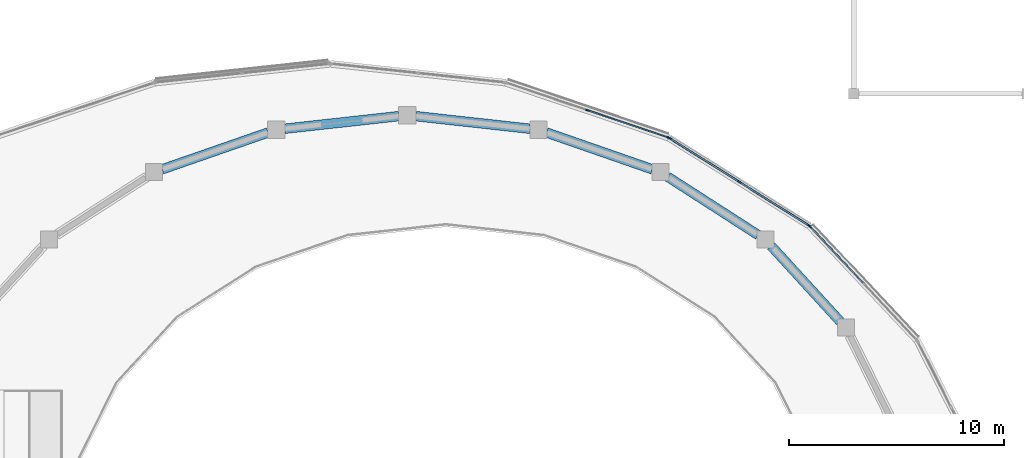
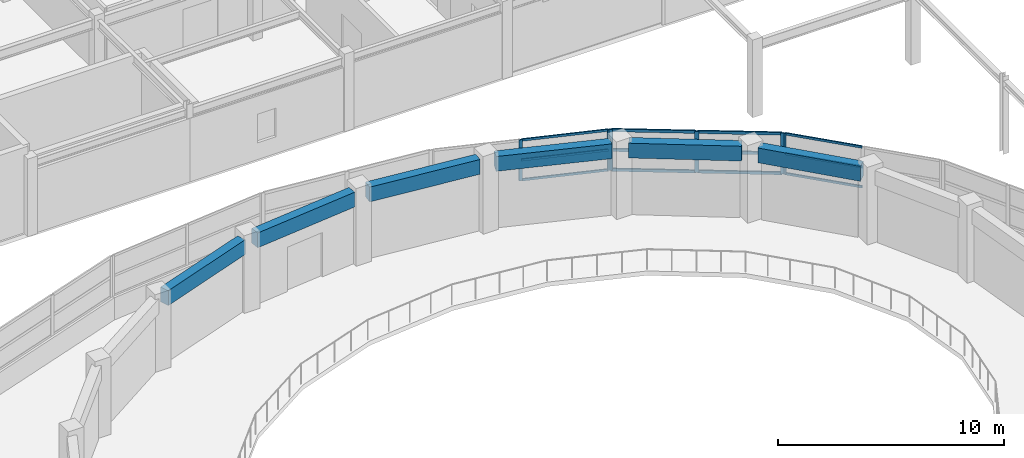
# One storey, part 14 of 54: 18 members, 6 beams, 3 elements without a shape of their own.
"""IFC4 building model written with IfcOpenShell, lengths in metres."""

from ifc_helpers import new_model, si_unit, direction, frame, origin, origin_2d, place, context, subcontext, project, spatial, rectangle, extrude, material, material_profile, profile_set, type_object, element, aggregate, save


model = new_model("IFC4")

# Units and contexts
model_context = context("Model", 3, precision=1e-05, world=origin(), true_north=direction((0.0, 1.0)))
body_context = subcontext(model_context, "Body", "Model", "MODEL_VIEW")
ifc_project = project(units=[si_unit("LENGTHUNIT", "METRE"), si_unit("AREAUNIT", "SQUARE_METRE"), si_unit("VOLUMEUNIT", "CUBIC_METRE"), si_unit("PLANEANGLEUNIT", "RADIAN"), si_unit("MASSUNIT", "GRAM", prefix="KILO")], contexts=[model_context])

# Site, building, storey
site_placement = place(None, origin())
site = spatial("IfcSite", under=ifc_project, at=site_placement, CompositionType="ELEMENT")
building_placement = place(site_placement, origin())
building = spatial("IfcBuilding", under=site, at=building_placement, Name="Parian Resonance Hall", CompositionType="ELEMENT")
storey_placement = place(building_placement, frame((0.0, 0.0, 15.0)))
storey = spatial("IfcBuildingStorey", under=building, at=storey_placement, Name="L03", CompositionType="ELEMENT", Elevation=15.0)

# Beams
ifc_material_1 = material(Name="Concrete C40/50", Category="concrete")
ifc_material_profile_1 = material_profile(ifc_material_1, rectangle(XDim=0.449951171875, YDim=0.800048828125, at=origin_2d()), Name="RC-BM-450x800")
ifc_profile_set_1 = profile_set([ifc_material_profile_1], Name="Concrete C40/50")
beam_type = type_object("IfcBeamType", Name="BM-RC450x800", PredefinedType="USERDEFINED", material=ifc_profile_set_1)
beam_1_placement = place(storey_placement, frame((64.168212890625, 54.1953125, 3.530029296875), z_axis=(-0.674892190981, 0.737916343872, 0.0), x_axis=(-0.737916343872, -0.674892190981, 0.0)))
element("IfcBeam", 1, at=beam_1_placement, inside=storey, type_object=beam_type, Name="Concert hall drum ring beam L03-03", ObjectType="GIRDER", PredefinedType="USERDEFINED", context=body_context, shape_type="SweptSolid", body=[
    extrude(rectangle(XDim=0.449951171875, YDim=0.800048828125, at=origin_2d()), origin(), (0.0, 0.0, 1.0), 4.757080078125),
])
beam_2_placement = place(storey_placement, frame((60.351318359375, 58.21728515625, 3.530029296875), z_axis=(-0.840822266108, 0.541311293819, 0.0), x_axis=(-0.541311293819, -0.840822266108, 0.0)))
element("IfcBeam", 2, at=beam_2_placement, inside=storey, type_object=beam_type, Name="Concert hall drum ring beam L03-04", ObjectType="GIRDER", PredefinedType="USERDEFINED", context=body_context, shape_type="SweptSolid", body=[
    extrude(rectangle(XDim=0.449951171875, YDim=0.800048828125, at=origin_2d()), origin(), (0.0, 0.0, 1.0), 5.012939453125),
])
beam_3_placement = place(storey_placement, frame((55.422119140625, 61.278564453125, 3.530029296875), z_axis=(-0.944593815742, 0.328241562362, 0.0), x_axis=(-0.328241562362, -0.944593815742, 0.0)))
element("IfcBeam", 3, at=beam_3_placement, inside=storey, type_object=beam_type, Name="Concert hall drum ring beam L03-05", ObjectType="GIRDER", PredefinedType="USERDEFINED", context=body_context, shape_type="SweptSolid", body=[
    extrude(rectangle(XDim=0.449951171875, YDim=0.800048828125, at=origin_2d()), origin(), (0.0, 0.0, 1.0), 5.225830078125),
])
for number, where, z_axis, x_axis, name in (
    (4, (49.71044921875, 63.169189453125, 3.530029296875), (-0.993953165009, 0.109804853117, 0.0), (-0.109804853117, -0.993953165009, 0.0), "Concert hall drum ring beam L03-06"),
    (5, (43.602294921875, 63.756103515625, 3.530029296875), (-0.993953165009, -0.109804853117, 0.0), (0.109804853117, -0.993953165009, 0.0), "Concert hall drum ring beam L03-07"),
):
    element("IfcBeam", number, at=place(storey_placement, frame(where, z_axis=z_axis, x_axis=x_axis)), inside=storey, type_object=beam_type, Name=name, ObjectType="GIRDER", PredefinedType="USERDEFINED", context=body_context, shape_type="SweptSolid", body=[
        extrude(rectangle(XDim=0.449951171875, YDim=0.800048828125, at=origin_2d()), origin(), (0.0, 0.0, 1.0), 5.344970703125),
    ])
beam_4_placement = place(storey_placement, frame((37.51416015625, 62.993896484375, 3.530029296875), z_axis=(-0.944593815742, -0.328241562362, 0.0), x_axis=(0.328241562362, -0.944593815742, 0.0)))
element("IfcBeam", 6, at=beam_4_placement, inside=storey, type_object=beam_type, Name="Concert hall drum ring beam L03-08", ObjectType="GIRDER", PredefinedType="USERDEFINED", context=body_context, shape_type="SweptSolid", body=[
    extrude(rectangle(XDim=0.449951171875, YDim=0.800048828125, at=origin_2d()), origin(), (0.0, 0.0, 1.0), 5.225830078125),
])

# Curtain wall, member
ifc_material_2 = material(Name="Bronze-anodised aluminium frame", Category="aluminium")
curtain_wall_type_1 = type_object("IfcCurtainWallType", Name="CW-SYS-05", PredefinedType="NOTDEFINED", material=ifc_material_2)
curtain_wall_1_placement = place(storey_placement, origin())
curtain_wall_1 = element("IfcCurtainWall", 7, at=curtain_wall_1_placement, inside=storey, type_object=curtain_wall_type_1, Name="Elliptical R3 recessed strip curtain wall 03", PredefinedType="NOTDEFINED")
ifc_material_3 = material(Name="Bronze-anodised aluminium frame", Category="aluminium")
ifc_material_profile_2 = material_profile(ifc_material_3, rectangle(XDim=0.06494140625, YDim=0.159912109375, at=origin_2d()), Name="CWM-65x160")
ifc_profile_set_2 = profile_set([ifc_material_profile_2], Name="Bronze-anodised aluminium frame")
member_type_1 = type_object("IfcMemberType", Name="CWM-65x160", PredefinedType="MULLION", material=ifc_profile_set_2)
member_1_placement = place(storey_placement, frame((62.766845703125, 58.61962890625, 1.19189453125), z_axis=(0.0, 0.0, 1.0), x_axis=(0.728695449283, 0.684837894829, 0.0)))
member_1 = element("IfcMember", 8, at=member_1_placement, type_object=member_type_1, Name="CW-05 mullion 1", PredefinedType="MULLION", context=body_context, shape_type="SweptSolid", body=[
    extrude(rectangle(XDim=0.06494140625, YDim=0.159912109375, at=origin_2d()), origin(), (0.0, 0.0, 1.0), 2.218017578125),
])

# Curtain wall, members
ifc_material_4 = material(Name="Bronze-anodised aluminium frame", Category="aluminium")
curtain_wall_type_2 = type_object("IfcCurtainWallType", Name="CW-SYS-01", PredefinedType="NOTDEFINED", material=ifc_material_4)
curtain_wall_2_placement = place(storey_placement, origin())
curtain_wall_2 = element("IfcCurtainWall", 9, at=curtain_wall_2_placement, inside=storey, type_object=curtain_wall_type_2, Name="Elliptical R3 recessed strip curtain wall 05", PredefinedType="NOTDEFINED")
member_2_placement = place(storey_placement, frame((52.389404296875, 64.0322265625, 1.19189453125), z_axis=(0.0, 0.0, 1.0), x_axis=(0.320360084104, 0.947295844239, 0.0)))
member_2 = element("IfcMember", 10, at=member_2_placement, type_object=member_type_1, Name="CW-01 mullion 2", PredefinedType="MULLION", context=body_context, shape_type="SweptSolid", body=[
    extrude(rectangle(XDim=0.06494140625, YDim=0.159912109375, at=origin_2d()), origin(), (0.0, 0.0, 1.0), 2.218017578125),
])
member_3_placement = place(storey_placement, frame((56.169189453125, 62.75390625, 1.19189453125), z_axis=(0.0, 0.0, 1.0), x_axis=(0.320360084104, 0.947295844239, 0.0)))
member_3 = element("IfcMember", 11, at=member_3_placement, type_object=member_type_1, Name="CW-01 mullion 3", PredefinedType="MULLION", context=body_context, shape_type="SweptSolid", body=[
    extrude(rectangle(XDim=0.06494140625, YDim=0.159912109375, at=origin_2d()), origin(), (0.0, 0.0, 1.0), 2.218017578125),
])

ifc_material_5 = material(Name="Bronze-anodised aluminium frame", Category="aluminium")
curtain_wall_type_3 = type_object("IfcCurtainWallType", Name="CW-SYS-06", PredefinedType="NOTDEFINED", material=ifc_material_5)
curtain_wall_3_placement = place(storey_placement, origin())
curtain_wall_3 = element("IfcCurtainWall", 12, at=curtain_wall_3_placement, inside=storey, type_object=curtain_wall_type_3, Name="Elliptical R3 recessed strip curtain wall 04", PredefinedType="NOTDEFINED")
ifc_material_6 = material(Name="Bronze-anodised aluminium frame", Category="aluminium")
ifc_material_profile_3 = material_profile(ifc_material_6, rectangle(XDim=0.074951171875, YDim=0.199951171875, at=origin_2d()), Name="CWM-75x200")
ifc_profile_set_3 = profile_set([ifc_material_profile_3], Name="Bronze-anodised aluminium frame")
member_type_2 = type_object("IfcMemberType", Name="CWM-75x200", PredefinedType="MULLION", material=ifc_profile_set_3)
member_4_placement = place(storey_placement, frame((56.231689453125, 62.7236328125, 1.19189453125), z_axis=(0.0, 0.0, 1.0), x_axis=(0.530904164532, 0.847431866337, 0.0)))
member_4 = element("IfcMember", 13, at=member_4_placement, type_object=member_type_2, Name="CW-06 mullion 1", PredefinedType="MULLION", context=body_context, shape_type="SweptSolid", body=[
    extrude(rectangle(XDim=0.074951171875, YDim=0.199951171875, at=origin_2d()), origin(), (0.0, 0.0, 1.0), 2.218017578125),
])
member_5_placement = place(storey_placement, frame((59.472412109375, 60.693359375, 1.19189453125), z_axis=(0.0, 0.0, 1.0), x_axis=(0.530904164532, 0.847431866337, 0.0)))
member_5 = element("IfcMember", 14, at=member_5_placement, type_object=member_type_2, Name="CW-06 mullion 2", PredefinedType="MULLION", context=body_context, shape_type="SweptSolid", body=[
    extrude(rectangle(XDim=0.074951171875, YDim=0.199951171875, at=origin_2d()), origin(), (0.0, 0.0, 1.0), 2.218017578125),
])
member_6_placement = place(storey_placement, frame((62.712890625, 58.663330078125, 1.19189453125), z_axis=(0.0, 0.0, 1.0), x_axis=(0.530904164532, 0.847431866337, 0.0)))
member_6 = element("IfcMember", 15, at=member_6_placement, type_object=member_type_2, Name="CW-06 mullion 3", PredefinedType="MULLION", context=body_context, shape_type="SweptSolid", body=[
    extrude(rectangle(XDim=0.074951171875, YDim=0.199951171875, at=origin_2d()), origin(), (0.0, 0.0, 1.0), 2.218017578125),
])

# Member
ifc_material_7 = material(Name="Bronze-anodised aluminium frame", Category="aluminium")
ifc_material_profile_4 = material_profile(ifc_material_7, rectangle(XDim=0.06494140625, YDim=0.1201171875, at=origin_2d()), Name="CWT-65x120")
ifc_profile_set_4 = profile_set([ifc_material_profile_4], Name="Bronze-anodised aluminium frame")
member_type_3 = type_object("IfcMemberType", Name="CWT-65x120", PredefinedType="USERDEFINED", material=ifc_profile_set_4)
member_7_placement = place(storey_placement, frame((62.7890625, 58.595947265625, 1.224609375), z_axis=(0.684841727583, -0.72869184719, 0.0), x_axis=(0.72869184719, 0.684841727583, 0.0)))
member_7 = element("IfcMember", 16, at=member_7_placement, type_object=member_type_3, Name="CW-05 transom 1.1", ObjectType="TRANSOM", PredefinedType="USERDEFINED", context=body_context, shape_type="SweptSolid", body=[
    extrude(rectangle(XDim=0.06494140625, YDim=0.1201171875, at=origin_2d()), origin(), (0.0, 0.0, 1.0), 3.56884765625),
])

member_8_placement = place(storey_placement, frame((62.7890625, 58.595947265625, 2.300048828125), z_axis=(0.684841727583, -0.72869184719, 0.0), x_axis=(0.72869184719, 0.684841727583, 0.0)))
member_8 = element("IfcMember", 17, at=member_8_placement, type_object=member_type_3, Name="CW-05 transom 1.2", ObjectType="TRANSOM", PredefinedType="USERDEFINED", context=body_context, shape_type="SweptSolid", body=[
    extrude(rectangle(XDim=0.06494140625, YDim=0.1201171875, at=origin_2d()), origin(), (0.0, 0.0, 1.0), 3.56884765625),
])

member_9_placement = place(storey_placement, frame((62.7890625, 58.595947265625, 3.37744140625), z_axis=(0.684841727583, -0.72869184719, 0.0), x_axis=(0.72869184719, 0.684841727583, 0.0)))
member_9 = element("IfcMember", 18, at=member_9_placement, type_object=member_type_3, Name="CW-05 transom 1.3", ObjectType="TRANSOM", PredefinedType="USERDEFINED", context=body_context, shape_type="SweptSolid", body=[
    extrude(rectangle(XDim=0.06494140625, YDim=0.1201171875, at=origin_2d()), origin(), (0.0, 0.0, 1.0), 3.56884765625),
])

aggregate(curtain_wall_1, [member_1, member_7, member_8, member_9])

member_10_placement = place(storey_placement, frame((52.420166015625, 64.021728515625, 1.224609375), z_axis=(0.94730601585, -0.32033000536, 0.0), x_axis=(0.32033000536, 0.94730601585, 0.0)))
member_10 = element("IfcMember", 19, at=member_10_placement, type_object=member_type_3, Name="CW-01 transom 2.1", ObjectType="TRANSOM", PredefinedType="USERDEFINED", context=body_context, shape_type="SweptSolid", body=[
    extrude(rectangle(XDim=0.06494140625, YDim=0.1201171875, at=origin_2d()), origin(), (0.0, 0.0, 1.0), 3.925048828125),
])

member_11_placement = place(storey_placement, frame((52.420166015625, 64.021728515625, 2.300048828125), z_axis=(0.94730601585, -0.32033000536, 0.0), x_axis=(0.32033000536, 0.94730601585, 0.0)))
member_11 = element("IfcMember", 20, at=member_11_placement, type_object=member_type_3, Name="CW-01 transom 2.2", ObjectType="TRANSOM", PredefinedType="USERDEFINED", context=body_context, shape_type="SweptSolid", body=[
    extrude(rectangle(XDim=0.06494140625, YDim=0.1201171875, at=origin_2d()), origin(), (0.0, 0.0, 1.0), 3.925048828125),
])

member_12_placement = place(storey_placement, frame((52.420166015625, 64.021728515625, 3.37744140625), z_axis=(0.94730601585, -0.32033000536, 0.0), x_axis=(0.32033000536, 0.94730601585, 0.0)))
member_12 = element("IfcMember", 21, at=member_12_placement, type_object=member_type_3, Name="CW-01 transom 2.3", ObjectType="TRANSOM", PredefinedType="USERDEFINED", context=body_context, shape_type="SweptSolid", body=[
    extrude(rectangle(XDim=0.06494140625, YDim=0.1201171875, at=origin_2d()), origin(), (0.0, 0.0, 1.0), 3.925048828125),
])

aggregate(curtain_wall_2, [member_2, member_3, member_10, member_11, member_12])

ifc_material_8 = material(Name="Bronze-anodised aluminium frame", Category="aluminium")
ifc_material_profile_5 = material_profile(ifc_material_8, rectangle(XDim=0.074951171875, YDim=0.14990234375, at=origin_2d()), Name="CWT-75x150")
ifc_profile_set_5 = profile_set([ifc_material_profile_5], Name="Bronze-anodised aluminium frame")
member_type_4 = type_object("IfcMemberType", Name="CWT-75x150", PredefinedType="USERDEFINED", material=ifc_profile_set_5)
member_13_placement = place(storey_placement, frame((56.263671875, 62.70361328125, 1.2294921875), z_axis=(0.847427039998, -0.53091186828, 0.0), x_axis=(0.53091186828, 0.847427039998, 0.0)))
member_13 = element("IfcMember", 22, at=member_13_placement, type_object=member_type_4, Name="CW-06 transom 1.1", ObjectType="TRANSOM", PredefinedType="USERDEFINED", context=body_context, shape_type="SweptSolid", body=[
    extrude(rectangle(XDim=0.074951171875, YDim=0.14990234375, at=origin_2d()), origin(), (0.0, 0.0, 1.0), 3.748779296875),
])

member_14_placement = place(storey_placement, frame((56.263671875, 62.70361328125, 2.300048828125), z_axis=(0.847427039998, -0.53091186828, 0.0), x_axis=(0.53091186828, 0.847427039998, 0.0)))
member_14 = element("IfcMember", 23, at=member_14_placement, type_object=member_type_4, Name="CW-06 transom 1.2", ObjectType="TRANSOM", PredefinedType="USERDEFINED", context=body_context, shape_type="SweptSolid", body=[
    extrude(rectangle(XDim=0.074951171875, YDim=0.14990234375, at=origin_2d()), origin(), (0.0, 0.0, 1.0), 3.748779296875),
])

member_15_placement = place(storey_placement, frame((56.263671875, 62.70361328125, 3.37255859375), z_axis=(0.847427039998, -0.53091186828, 0.0), x_axis=(0.53091186828, 0.847427039998, 0.0)))
member_15 = element("IfcMember", 24, at=member_15_placement, type_object=member_type_4, Name="CW-06 transom 1.3", ObjectType="TRANSOM", PredefinedType="USERDEFINED", context=body_context, shape_type="SweptSolid", body=[
    extrude(rectangle(XDim=0.074951171875, YDim=0.14990234375, at=origin_2d()), origin(), (0.0, 0.0, 1.0), 3.748779296875),
])

member_16_placement = place(storey_placement, frame((59.504150390625, 60.673583984375, 1.2294921875), z_axis=(0.847416096822, -0.530929335079, 0.0), x_axis=(0.530929335079, 0.847416096822, 0.0)))
member_16 = element("IfcMember", 25, at=member_16_placement, type_object=member_type_4, Name="CW-06 transom 2.1", ObjectType="TRANSOM", PredefinedType="USERDEFINED", context=body_context, shape_type="SweptSolid", body=[
    extrude(rectangle(XDim=0.074951171875, YDim=0.14990234375, at=origin_2d()), origin(), (0.0, 0.0, 1.0), 3.7490234375),
])

member_17_placement = place(storey_placement, frame((59.504150390625, 60.673583984375, 2.300048828125), z_axis=(0.847416096822, -0.530929335079, 0.0), x_axis=(0.530929335079, 0.847416096822, 0.0)))
member_17 = element("IfcMember", 26, at=member_17_placement, type_object=member_type_4, Name="CW-06 transom 2.2", ObjectType="TRANSOM", PredefinedType="USERDEFINED", context=body_context, shape_type="SweptSolid", body=[
    extrude(rectangle(XDim=0.074951171875, YDim=0.14990234375, at=origin_2d()), origin(), (0.0, 0.0, 1.0), 3.7490234375),
])

member_18_placement = place(storey_placement, frame((59.504150390625, 60.673583984375, 3.37255859375), z_axis=(0.847416096822, -0.530929335079, 0.0), x_axis=(0.530929335079, 0.847416096822, 0.0)))
member_18 = element("IfcMember", 27, at=member_18_placement, type_object=member_type_4, Name="CW-06 transom 2.3", ObjectType="TRANSOM", PredefinedType="USERDEFINED", context=body_context, shape_type="SweptSolid", body=[
    extrude(rectangle(XDim=0.074951171875, YDim=0.14990234375, at=origin_2d()), origin(), (0.0, 0.0, 1.0), 3.7490234375),
])

aggregate(curtain_wall_3, [member_4, member_5, member_6, member_13, member_14, member_15, member_16, member_17, member_18])

save(model, "model.ifc")
